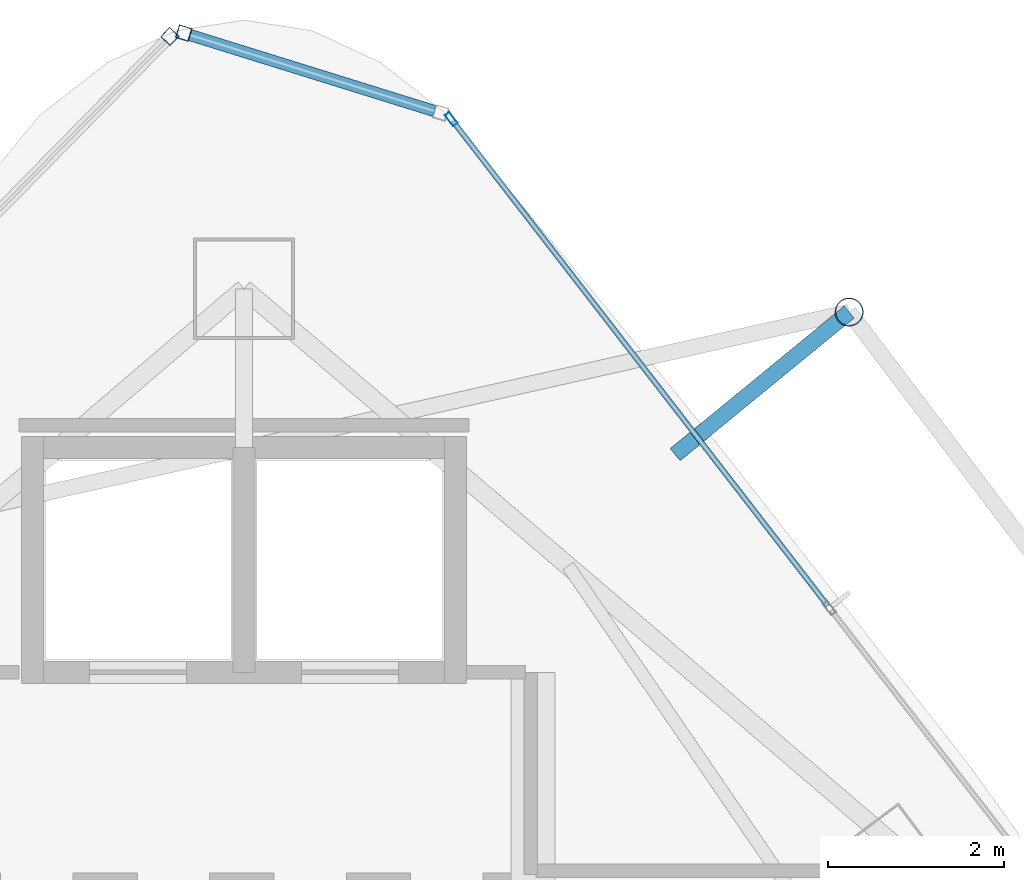
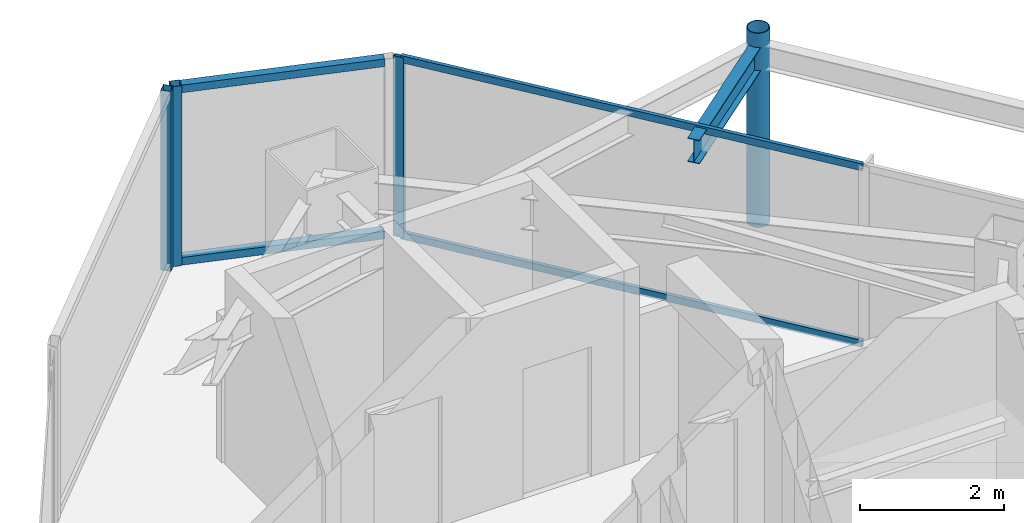
# One storey, part 24 of 30: 8 members, 1 beam, 3 elements without a shape of their own.
"""IFC4 building model written with IfcOpenShell, lengths in metres."""

from ifc_helpers import new_model, si_unit, direction, frame, origin, origin_2d, place, context, subcontext, project, spatial, hollow_rectangle, hollow_circle, i_section, extrude, material, layer, layer_set, material_profile, profile_set, type_object, element, aggregate, save


model = new_model("IFC4")

# Units and contexts
model_context = context("Model", 3, precision=1e-05, world=origin(), true_north=direction((0.0, 1.0)))
body_context = subcontext(model_context, "Body", "Model", "MODEL_VIEW")
ifc_project = project(units=[si_unit("LENGTHUNIT", "METRE"), si_unit("AREAUNIT", "SQUARE_METRE"), si_unit("VOLUMEUNIT", "CUBIC_METRE"), si_unit("PLANEANGLEUNIT", "RADIAN"), si_unit("MASSUNIT", "GRAM", prefix="KILO")], contexts=[model_context])

# Site, building, storey
site_placement = place(None, origin())
site = spatial("IfcSite", under=ifc_project, at=site_placement, CompositionType="ELEMENT")
building_placement = place(site_placement, origin())
building = spatial("IfcBuilding", under=site, at=building_placement, Name="Orvanel Arch Residences", CompositionType="ELEMENT")
storey_placement = place(building_placement, frame((0.0, 0.0, 270.050048828125)))
storey = spatial("IfcBuildingStorey", under=building, at=storey_placement, Name="L77", CompositionType="ELEMENT", Elevation=270.050048828125)

# Curtain wall, member
ifc_material_1 = material(Name="Bronze-anodised aluminium AA6063-T6", Category="aluminium")
ifc_layer_1 = layer(ifc_material_1, 0.18994140625)
ifc_layer_set_1 = layer_set([ifc_layer_1], Name="Bronze-anodised aluminium AA6063-T6")
curtain_wall_type_1 = type_object("IfcCurtainWallType", Name="CW5-CRN-SYS", PredefinedType="NOTDEFINED", material=ifc_layer_set_1)
curtain_wall_1_placement = place(storey_placement, origin())
curtain_wall_1 = element("IfcCurtainWall", 1, at=curtain_wall_1_placement, inside=storey, type_object=curtain_wall_type_1, Name="L77 CW5-CRN-SYS Unitised Curtain Wall", PredefinedType="NOTDEFINED")
ifc_material_profile_1 = material_profile(ifc_material_1, hollow_rectangle(XDim=0.14990234375, YDim=0.14990234375, WallThickness=0.0048828125, at=origin_2d()), Name="ALU150x150x5")
ifc_profile_set_1 = profile_set([ifc_material_profile_1], Name="Bronze-anodised aluminium AA6063-T6")
member_type_1 = type_object("IfcMemberType", Name="MUL-150x150", PredefinedType="MULLION", material=ifc_profile_set_1)
member_1_placement = place(storey_placement, frame((32.317626953125, 44.296630859375, 0.0), z_axis=(0.0, 0.0, 1.0), x_axis=(-0.297028543105, -0.954868600689, 0.0)))
member_1 = element("IfcMember", 2, at=member_1_placement, type_object=member_type_1, Name="CW-S5 mullion 2", PredefinedType="MULLION", context=body_context, shape_type="SweptSolid", body=[
    extrude(hollow_rectangle(XDim=0.14990234375, YDim=0.14990234375, WallThickness=0.0048828125, at=origin_2d()), origin(), (0.0, 0.0, 1.0), 3.06005859375),
])

curtain_wall_2_placement = place(storey_placement, origin())
curtain_wall_2 = element("IfcCurtainWall", 3, at=curtain_wall_2_placement, inside=storey, type_object=curtain_wall_type_1, Name="L77 CW5-CRN-SYS Unitised Curtain Wall", PredefinedType="NOTDEFINED")
member_2_placement = place(storey_placement, frame((32.160400390625, 44.257568359375, 0.0), z_axis=(0.0, 0.0, 1.0), x_axis=(0.712987423362, -0.701176820871, 0.0)))
member_2 = element("IfcMember", 4, at=member_2_placement, type_object=member_type_1, Name="CW-S5 mullion 1", PredefinedType="MULLION", context=body_context, shape_type="SweptSolid", body=[
    extrude(hollow_rectangle(XDim=0.14990234375, YDim=0.14990234375, WallThickness=0.0048828125, at=origin_2d()), origin(), (0.0, 0.0, 1.0), 3.06005859375),
])
aggregate(curtain_wall_2, [member_2])

ifc_layer_2 = layer(ifc_material_1, 0.175048828125)
ifc_layer_set_2 = layer_set([ifc_layer_2], Name="Bronze-anodised aluminium AA6063-T6")
curtain_wall_type_2 = type_object("IfcCurtainWallType", Name="CW4-HI-SYS", PredefinedType="NOTDEFINED", material=ifc_layer_set_2)
curtain_wall_3_placement = place(storey_placement, origin())
curtain_wall_3 = element("IfcCurtainWall", 5, at=curtain_wall_3_placement, inside=storey, type_object=curtain_wall_type_2, Name="L77 CW4-HI-SYS Unitised Curtain Wall", PredefinedType="NOTDEFINED")
ifc_material_profile_2 = material_profile(ifc_material_1, hollow_rectangle(XDim=0.06494140625, YDim=0.159912109375, WallThickness=0.00390625, at=origin_2d()), Name="ALU160x65x4")
ifc_profile_set_2 = profile_set([ifc_material_profile_2], Name="Bronze-anodised aluminium AA6063-T6")
member_type_2 = type_object("IfcMemberType", Name="MUL-160x65", PredefinedType="MULLION", material=ifc_profile_set_2)
member_3_placement = place(storey_placement, frame((35.350830078125, 43.3212890625, 0.0), z_axis=(0.0, 0.0, 1.0), x_axis=(-0.791013108385, -0.611799201016, 0.0)))
member_3 = element("IfcMember", 6, at=member_3_placement, type_object=member_type_2, Name="CW-S4 mullion 3", PredefinedType="MULLION", context=body_context, shape_type="SweptSolid", body=[
    extrude(hollow_rectangle(XDim=0.06494140625, YDim=0.159912109375, WallThickness=0.00390625, at=origin_2d()), origin(), (0.0, 0.0, 1.0), 3.06005859375),
])

# Beam
ifc_material_2 = material(Name="Structural steel AS/NZS 3679.1 Grade 300 (300 MPa)", Category="steel")
ifc_material_profile_3 = material_profile(ifc_material_2, i_section(OverallWidth=0.177978515625, OverallDepth=0.406005859375, WebThickness=0.0078125, FlangeThickness=0.0126953125, at=origin_2d()), Name="410UB59.7")
ifc_profile_set_3 = profile_set([ifc_material_profile_3], Name="Structural steel AS/NZS 3679.1 Grade 300 (300 MPa)")
beam_type = type_object("IfcBeamType", Name="OB-410UB-EXT", PredefinedType="SPANDREL", material=ifc_profile_set_3)
beam_placement = place(storey_placement, frame((37.887939453125, 39.51806640625, 2.85693359375), z_axis=(0.773500607618, 0.633795558532, 0.0), x_axis=(-0.633795558532, 0.773500607618, 0.0)))
element("IfcBeam", 7, at=beam_placement, inside=storey, type_object=beam_type, Name="L77 Outer Frame Radial Tie Beam 12", PredefinedType="SPANDREL", context=body_context, shape_type="SweptSolid", body=[
    extrude(i_section(OverallWidth=0.177978515625, OverallDepth=0.406005859375, WebThickness=0.0078125, FlangeThickness=0.0126953125, at=origin_2d()), origin(), (0.0, 0.0, 1.0), 2.549560546875),
])

# Member
ifc_material_3 = material(Name="Structural steel AS/NZS 1163 C350L0 (Grade 350)", Category="steel")
ifc_material_profile_4 = material_profile(ifc_material_3, hollow_circle(Radius=0.162109375, WallThickness=0.0126953125, at=origin_2d()), Name="CHS324x12.7")
ifc_profile_set_4 = profile_set([ifc_material_profile_4], Name="Structural steel AS/NZS 1163 C350L0 (Grade 350)")
member_type_3 = type_object("IfcMemberType", Name="ST-324CHS-EXT", PredefinedType="STRUT", material=ifc_profile_set_4)
member_4_placement = place(storey_placement, frame((39.860107421875, 41.134033203125, 0.0), z_axis=(0.0, 0.0, 1.0), x_axis=(1.0, 0.0, 0.0)))
element("IfcMember", 8, at=member_4_placement, inside=storey, type_object=member_type_3, Name="L77 Outer Perimeter Frame Post 12", PredefinedType="STRUT", context=body_context, shape_type="SweptSolid", body=[
    extrude(hollow_circle(Radius=0.162109375, WallThickness=0.0126953125, at=origin_2d()), origin(), (0.0, 0.0, 1.0), 3.300048828125),
])

ifc_material_profile_5 = material_profile(ifc_material_1, hollow_rectangle(XDim=0.06005859375, YDim=0.1201171875, WallThickness=0.00341796875, at=origin_2d()), Name="ALU120x60x3.5")
ifc_profile_set_5 = profile_set([ifc_material_profile_5], Name="Bronze-anodised aluminium AA6063-T6")
member_type_4 = type_object("IfcMemberType", Name="TRN-120x60", PredefinedType="USERDEFINED", material=ifc_profile_set_5)
member_5_placement = place(storey_placement, frame((39.61767578125, 37.8046875, 0.030029296875), z_axis=(-0.611790776718, 0.791019623981, 0.0), x_axis=(-0.791019623981, -0.611790776718, 0.0)))
member_5 = element("IfcMember", 9, at=member_5_placement, type_object=member_type_4, Name="CW-S4 transom 2.1", ObjectType="TRANSOM", PredefinedType="USERDEFINED", context=body_context, shape_type="SweptSolid", body=[
    extrude(hollow_rectangle(XDim=0.06005859375, YDim=0.1201171875, WallThickness=0.00341796875, at=origin_2d()), origin(), (0.0, 0.0, 1.0), 6.941650390625),
])

member_6_placement = place(storey_placement, frame((39.61767578125, 37.8046875, 3.030029296875), z_axis=(-0.611790776718, 0.791019623981, 0.0), x_axis=(-0.791019623981, -0.611790776718, 0.0)))
member_6 = element("IfcMember", 10, at=member_6_placement, type_object=member_type_4, Name="CW-S4 transom 2.2", ObjectType="TRANSOM", PredefinedType="USERDEFINED", context=body_context, shape_type="SweptSolid", body=[
    extrude(hollow_rectangle(XDim=0.06005859375, YDim=0.1201171875, WallThickness=0.00341796875, at=origin_2d()), origin(), (0.0, 0.0, 1.0), 6.941650390625),
])

aggregate(curtain_wall_3, [member_3, member_5, member_6])

ifc_material_profile_6 = material_profile(ifc_material_1, hollow_rectangle(XDim=0.1298828125, YDim=0.1298828125, WallThickness=0.00439453125, at=origin_2d()), Name="ALU130x130x4.5")
ifc_profile_set_6 = profile_set([ifc_material_profile_6], Name="Bronze-anodised aluminium AA6063-T6")
member_type_5 = type_object("IfcMemberType", Name="TRN-130x130", PredefinedType="USERDEFINED", material=ifc_profile_set_6)
member_7_placement = place(storey_placement, frame((35.15673828125, 43.41357421875, 0.06494140625), z_axis=(-0.954874827386, 0.297008525173, 0.0), x_axis=(-0.297008525173, -0.954874827386, 0.0)))
member_7 = element("IfcMember", 11, at=member_7_placement, type_object=member_type_5, Name="CW-S5 transom 1.1", ObjectType="TRANSOM", PredefinedType="USERDEFINED", context=body_context, shape_type="SweptSolid", body=[
    extrude(hollow_rectangle(XDim=0.1298828125, YDim=0.1298828125, WallThickness=0.00439453125, at=origin_2d()), origin(), (0.0, 0.0, 1.0), 2.8984375),
])

member_8_placement = place(storey_placement, frame((35.15673828125, 43.41357421875, 2.994873046875), z_axis=(-0.954874827386, 0.297008525173, 0.0), x_axis=(-0.297008525173, -0.954874827386, 0.0)))
member_8 = element("IfcMember", 12, at=member_8_placement, type_object=member_type_5, Name="CW-S5 transom 1.2", ObjectType="TRANSOM", PredefinedType="USERDEFINED", context=body_context, shape_type="SweptSolid", body=[
    extrude(hollow_rectangle(XDim=0.1298828125, YDim=0.1298828125, WallThickness=0.00439453125, at=origin_2d()), origin(), (0.0, 0.0, 1.0), 2.8984375),
])

aggregate(curtain_wall_1, [member_1, member_7, member_8])

save(model, "model.ifc")
